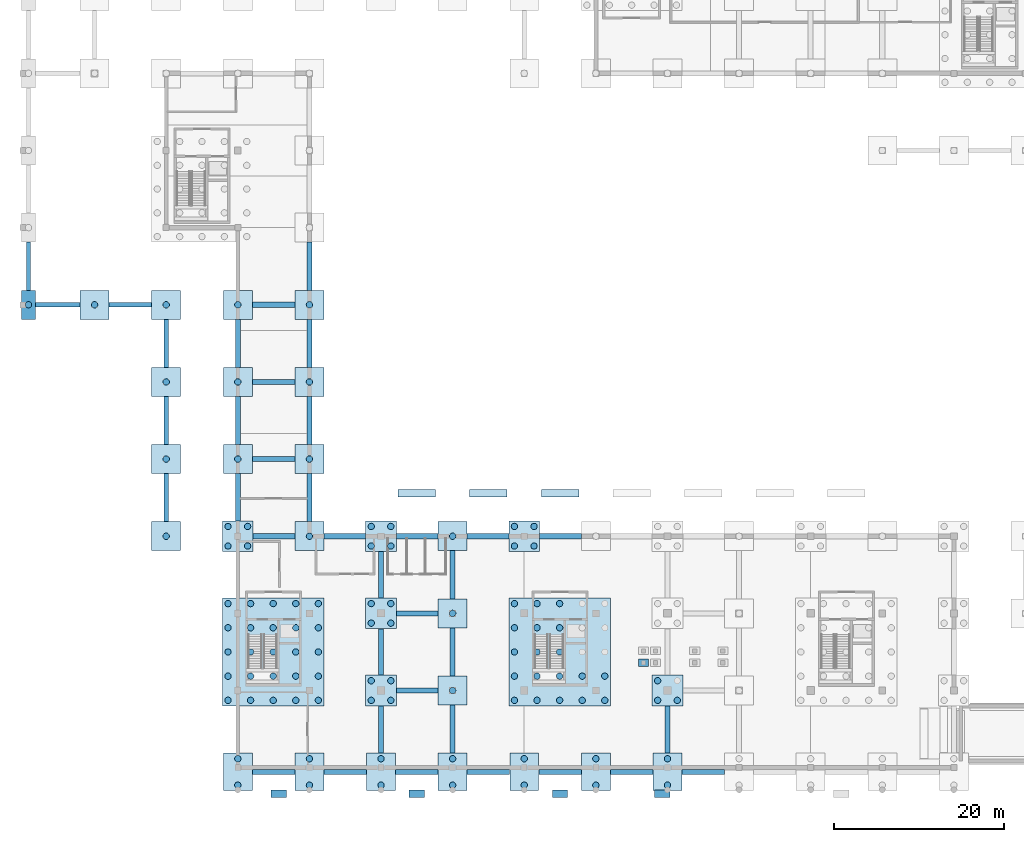
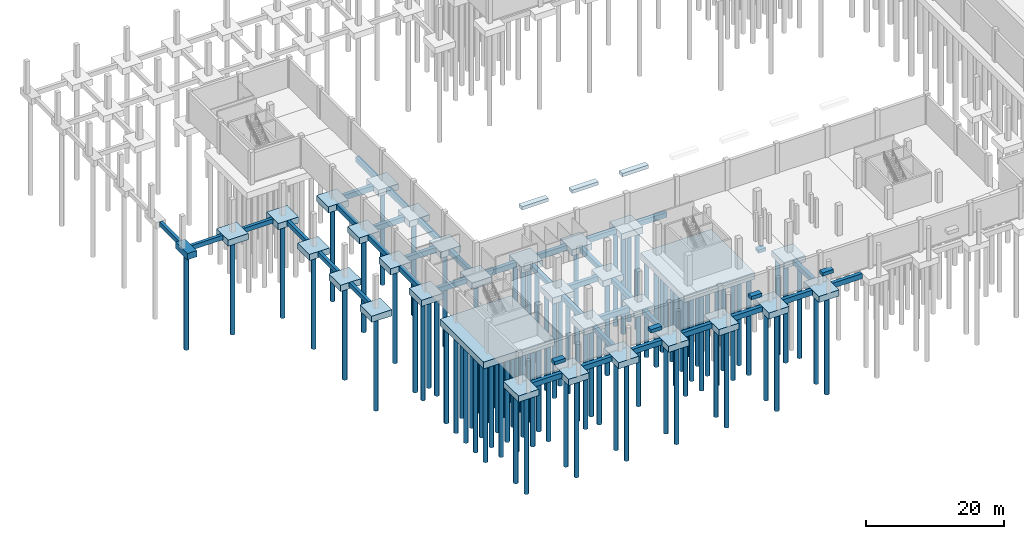
# One storey, part 1 of 18: 97 piles, 76 footings.
"""IFC4 building model written with IfcOpenShell, lengths in metres."""

from ifc_helpers import new_model, si_unit, direction, frame, origin, origin_2d, place, context, subcontext, project, spatial, rectangle, circle, extrude, material, layer, layer_set, material_profile, profile_set, type_object, element, save


model = new_model("IFC4")

# Units and contexts
model_context = context("Model", 3, precision=1e-05, world=origin(), true_north=direction((0.0, 1.0)))
body_context = subcontext(model_context, "Body", "Model", "MODEL_VIEW")
ifc_project = project(units=[si_unit("LENGTHUNIT", "METRE"), si_unit("AREAUNIT", "SQUARE_METRE"), si_unit("VOLUMEUNIT", "CUBIC_METRE"), si_unit("PLANEANGLEUNIT", "RADIAN"), si_unit("MASSUNIT", "GRAM", prefix="KILO")], contexts=[model_context])

# Site, building, storey
site_placement = place(None, origin())
site = spatial("IfcSite", under=ifc_project, at=site_placement, CompositionType="ELEMENT")
building_placement = place(site_placement, origin())
building = spatial("IfcBuilding", under=site, at=building_placement, Name="Khurvash Pelagic Aquarium", CompositionType="ELEMENT")
storey_placement = place(building_placement, frame((0.0, 0.0, -5.39990234375)))
storey = spatial("IfcBuildingStorey", under=building, at=storey_placement, Name="B1", CompositionType="ELEMENT", Elevation=-5.39990234375)

# Footings
ifc_material = material(Name="Concrete C35/45", Category="concrete")
ifc_layer_1 = layer(ifc_material, 0.800048828125)
ifc_layer_set_1 = layer_set([ifc_layer_1], Name="Concrete C35/45")
footing_type_1 = type_object("IfcFootingType", Name="GB-01", PredefinedType="FOOTING_BEAM", material=ifc_layer_set_1)
footing_1_placement = place(storey_placement, frame((4.074951171875, 56.89990234375, -1.2001953125), z_axis=(0.0, 0.0, 1.0), x_axis=(1.0, 0.0, 0.0)))
element("IfcFooting", 1, at=footing_1_placement, inside=storey, type_object=footing_type_1, Name="Reinforced Concrete Ground Tie Beam GB-01 075", PredefinedType="FOOTING_BEAM", context=body_context, shape_type="SweptSolid", body=[
    extrude(rectangle(XDim=5.24609375, YDim=0.5, at=origin_2d()), origin(), (0.0, 0.0, 1.0), 0.800048828125),
])
footing_2_placement = place(storey_placement, frame((12.60009765625, 56.89990234375, -1.2001953125), z_axis=(0.0, 0.0, 1.0), x_axis=(1.0, 0.0, 0.0)))
element("IfcFooting", 2, at=footing_2_placement, inside=storey, type_object=footing_type_1, Name="Reinforced Concrete Ground Tie Beam GB-01 076", PredefinedType="FOOTING_BEAM", context=body_context, shape_type="SweptSolid", body=[
    extrude(rectangle(XDim=4.99609375, YDim=0.5, at=origin_2d()), origin(), (0.0, 0.0, 1.0), 0.800048828125),
])
for number, where, z_axis, x_axis, name in (
    (3, (0.64990234375, 61.425048828125, -1.2001953125), (0.0, 0.0, 1.0), (0.0, 1.0, 0.0), "Reinforced Concrete Ground Tie Beam GB-01 102"),
    (4, (16.800048828125, 34.27490234375, -1.2001953125), (0.0, 0.0, 1.0), (0.0, 1.0, 0.0), "Reinforced Concrete Ground Tie Beam GB-01 109"),
    (5, (16.800048828125, 43.324951171875, -1.2001953125), (0.0, 0.0, 1.0), (0.0, 1.0, 0.0), "Reinforced Concrete Ground Tie Beam GB-01 110"),
    (6, (16.800048828125, 52.375, -1.2001953125), (0.0, 0.0, 1.0), (0.0, 1.0, 0.0), "Reinforced Concrete Ground Tie Beam GB-01 111"),
):
    element("IfcFooting", number, at=place(storey_placement, frame(where, z_axis=z_axis, x_axis=x_axis)), inside=storey, type_object=footing_type_1, Name=name, PredefinedType="FOOTING_BEAM", context=body_context, shape_type="SweptSolid", body=[
        extrude(rectangle(XDim=5.64599609375, YDim=0.5, at=origin_2d()), origin(), (0.0, 0.0, 1.0), 0.800048828125),
    ])
ifc_layer_2 = layer(ifc_material, 0.89990234375)
ifc_layer_set_2 = layer_set([ifc_layer_2], Name="Concrete C35/45")
footing_type_2 = type_object("IfcFootingType", Name="GB-02", PredefinedType="FOOTING_BEAM", material=ifc_layer_set_2)
for number, where, z_axis, x_axis, name in (
    (7, (29.39990234375, 2.10009765625, -1.300048828125), (0.0, 0.0, 1.0), (1.0, 0.0, 0.0), "Reinforced Concrete Ground Tie Beam GB-02 001"),
    (8, (37.800048828125, 2.10009765625, -1.300048828125), (0.0, 0.0, 1.0), (1.0, 0.0, 0.0), "Reinforced Concrete Ground Tie Beam GB-02 002"),
    (9, (46.199951171875, 2.10009765625, -1.300048828125), (0.0, 0.0, 1.0), (1.0, 0.0, 0.0), "Reinforced Concrete Ground Tie Beam GB-02 003"),
    (10, (54.60009765625, 2.10009765625, -1.300048828125), (0.0, 0.0, 1.0), (1.0, 0.0, 0.0), "Reinforced Concrete Ground Tie Beam GB-02 004"),
    (11, (63.0, 2.10009765625, -1.300048828125), (0.0, 0.0, 1.0), (1.0, 0.0, 0.0), "Reinforced Concrete Ground Tie Beam GB-02 005"),
    (12, (71.39990234375, 2.10009765625, -1.300048828125), (0.0, 0.0, 1.0), (1.0, 0.0, 0.0), "Reinforced Concrete Ground Tie Beam GB-02 006"),
    (13, (79.800048828125, 2.10009765625, -1.300048828125), (0.0, 0.0, 1.0), (1.0, 0.0, 0.0), "Reinforced Concrete Ground Tie Beam GB-02 007"),
):
    element("IfcFooting", number, at=place(storey_placement, frame(where, z_axis=z_axis, x_axis=x_axis)), inside=storey, type_object=footing_type_2, Name=name, PredefinedType="FOOTING_BEAM", context=body_context, shape_type="SweptSolid", body=[
        extrude(rectangle(XDim=4.99609375, YDim=0.60009765625, at=origin_2d()), origin(), (0.0, 0.0, 1.0), 0.89990234375),
    ])
for number, where, z_axis, x_axis, name in (
    (14, (46.25, 11.64990234375, -1.300048828125), (0.0, 0.0, 1.0), (1.0, 0.0, 0.0), "Reinforced Concrete Ground Tie Beam GB-02 011"),
    (15, (46.25, 20.699951171875, -1.300048828125), (0.0, 0.0, 1.0), (1.0, 0.0, 0.0), "Reinforced Concrete Ground Tie Beam GB-02 013"),
    (16, (29.449951171875, 29.75, -1.300048828125), (0.0, 0.0, 1.0), (1.0, 0.0, 0.0), "Reinforced Concrete Ground Tie Beam GB-02 015"),
    (17, (37.75, 29.75, -1.300048828125), (0.0, 0.0, 1.0), (1.0, 0.0, 0.0), "Reinforced Concrete Ground Tie Beam GB-02 016"),
    (18, (46.25, 29.75, -1.300048828125), (0.0, 0.0, 1.0), (1.0, 0.0, 0.0), "Reinforced Concrete Ground Tie Beam GB-02 017"),
    (19, (54.550048828125, 29.75, -1.300048828125), (0.0, 0.0, 1.0), (1.0, 0.0, 0.0), "Reinforced Concrete Ground Tie Beam GB-02 018"),
    (20, (63.050048828125, 29.75, -1.300048828125), (0.0, 0.0, 1.0), (1.0, 0.0, 0.0), "Reinforced Concrete Ground Tie Beam GB-02 019"),
):
    element("IfcFooting", number, at=place(storey_placement, frame(where, z_axis=z_axis, x_axis=x_axis)), inside=storey, type_object=footing_type_2, Name=name, PredefinedType="FOOTING_BEAM", context=body_context, shape_type="SweptSolid", body=[
        extrude(rectangle(XDim=4.89599609375, YDim=0.60009765625, at=origin_2d()), origin(), (0.0, 0.0, 1.0), 0.89990234375),
    ])
for number, where, z_axis, x_axis, name in (
    (21, (29.39990234375, 38.800048828125, -1.300048828125), (0.0, 0.0, 1.0), (1.0, 0.0, 0.0), "Reinforced Concrete Ground Tie Beam GB-02 025"),
    (22, (29.39990234375, 47.85009765625, -1.300048828125), (0.0, 0.0, 1.0), (1.0, 0.0, 0.0), "Reinforced Concrete Ground Tie Beam GB-02 026"),
    (23, (29.39990234375, 56.89990234375, -1.300048828125), (0.0, 0.0, 1.0), (1.0, 0.0, 0.0), "Reinforced Concrete Ground Tie Beam GB-02 027"),
):
    element("IfcFooting", number, at=place(storey_placement, frame(where, z_axis=z_axis, x_axis=x_axis)), inside=storey, type_object=footing_type_2, Name=name, PredefinedType="FOOTING_BEAM", context=body_context, shape_type="SweptSolid", body=[
        extrude(rectangle(XDim=4.99609375, YDim=0.60009765625, at=origin_2d()), origin(), (0.0, 0.0, 1.0), 0.89990234375),
    ])
footing_3_placement = place(storey_placement, frame((25.199951171875, 34.324951171875, -1.300048828125), z_axis=(0.0, 0.0, 1.0), x_axis=(0.0, 1.0, 0.0)))
element("IfcFooting", 24, at=footing_3_placement, inside=storey, type_object=footing_type_2, Name="Reinforced Concrete Ground Tie Beam GB-02 043", PredefinedType="FOOTING_BEAM", context=body_context, shape_type="SweptSolid", body=[
    extrude(rectangle(XDim=5.5458984375, YDim=0.60009765625, at=origin_2d()), origin(), (0.0, 0.0, 1.0), 0.89990234375),
])
for number, where, z_axis, x_axis, name in (
    (25, (25.199951171875, 43.324951171875, -1.300048828125), (0.0, 0.0, 1.0), (0.0, 1.0, 0.0), "Reinforced Concrete Ground Tie Beam GB-02 044"),
    (26, (25.199951171875, 52.375, -1.300048828125), (0.0, 0.0, 1.0), (0.0, 1.0, 0.0), "Reinforced Concrete Ground Tie Beam GB-02 045"),
    (27, (33.60009765625, 34.27490234375, -1.300048828125), (0.0, 0.0, 1.0), (0.0, 1.0, 0.0), "Reinforced Concrete Ground Tie Beam GB-02 046"),
    (28, (33.60009765625, 43.324951171875, -1.300048828125), (0.0, 0.0, 1.0), (0.0, 1.0, 0.0), "Reinforced Concrete Ground Tie Beam GB-02 047"),
    (29, (33.60009765625, 52.375, -1.300048828125), (0.0, 0.0, 1.0), (0.0, 1.0, 0.0), "Reinforced Concrete Ground Tie Beam GB-02 048"),
    (30, (33.60009765625, 61.425048828125, -1.300048828125), (0.0, 0.0, 1.0), (0.0, 1.0, 0.0), "Reinforced Concrete Ground Tie Beam GB-02 049"),
):
    element("IfcFooting", number, at=place(storey_placement, frame(where, z_axis=z_axis, x_axis=x_axis)), inside=storey, type_object=footing_type_2, Name=name, PredefinedType="FOOTING_BEAM", context=body_context, shape_type="SweptSolid", body=[
        extrude(rectangle(XDim=5.64599609375, YDim=0.60009765625, at=origin_2d()), origin(), (0.0, 0.0, 1.0), 0.89990234375),
    ])
footing_4_placement = place(storey_placement, frame((42.0, 7.074951171875, -1.300048828125), z_axis=(0.0, 0.0, 1.0), x_axis=(0.0, 1.0, 0.0)))
element("IfcFooting", 31, at=footing_4_placement, inside=storey, type_object=footing_type_2, Name="Reinforced Concrete Ground Tie Beam GB-02 052", PredefinedType="FOOTING_BEAM", context=body_context, shape_type="SweptSolid", body=[
    extrude(rectangle(XDim=5.5458984375, YDim=0.60009765625, at=origin_2d()), origin(), (0.0, 0.0, 1.0), 0.89990234375),
])
for number, where, z_axis, x_axis, name in (
    (32, (42.0, 16.175048828125, -1.300048828125), (0.0, 0.0, 1.0), (0.0, 1.0, 0.0), "Reinforced Concrete Ground Tie Beam GB-02 053"),
    (33, (42.0, 25.22509765625, -1.300048828125), (0.0, 0.0, 1.0), (0.0, 1.0, 0.0), "Reinforced Concrete Ground Tie Beam GB-02 054"),
):
    element("IfcFooting", number, at=place(storey_placement, frame(where, z_axis=z_axis, x_axis=x_axis)), inside=storey, type_object=footing_type_2, Name=name, PredefinedType="FOOTING_BEAM", context=body_context, shape_type="SweptSolid", body=[
        extrude(rectangle(XDim=5.446044921875, YDim=0.60009765625, at=origin_2d()), origin(), (0.0, 0.0, 1.0), 0.89990234375),
    ])
for number, where, z_axis, x_axis, name in (
    (34, (50.39990234375, 7.125, -1.300048828125), (0.0, 0.0, 1.0), (0.0, 1.0, 0.0), "Reinforced Concrete Ground Tie Beam GB-02 055"),
    (35, (50.39990234375, 16.175048828125, -1.300048828125), (0.0, 0.0, 1.0), (0.0, 1.0, 0.0), "Reinforced Concrete Ground Tie Beam GB-02 056"),
    (36, (50.39990234375, 25.22509765625, -1.300048828125), (0.0, 0.0, 1.0), (0.0, 1.0, 0.0), "Reinforced Concrete Ground Tie Beam GB-02 057"),
):
    element("IfcFooting", number, at=place(storey_placement, frame(where, z_axis=z_axis, x_axis=x_axis)), inside=storey, type_object=footing_type_2, Name=name, PredefinedType="FOOTING_BEAM", context=body_context, shape_type="SweptSolid", body=[
        extrude(rectangle(XDim=5.64599609375, YDim=0.60009765625, at=origin_2d()), origin(), (0.0, 0.0, 1.0), 0.89990234375),
    ])
footing_5_placement = place(storey_placement, frame((75.60009765625, 7.074951171875, -1.300048828125), z_axis=(0.0, 0.0, 1.0), x_axis=(0.0, 1.0, 0.0)))
element("IfcFooting", 37, at=footing_5_placement, inside=storey, type_object=footing_type_2, Name="Reinforced Concrete Ground Tie Beam GB-02 058", PredefinedType="FOOTING_BEAM", context=body_context, shape_type="SweptSolid", body=[
    extrude(rectangle(XDim=5.5458984375, YDim=0.60009765625, at=origin_2d()), origin(), (0.0, 0.0, 1.0), 0.89990234375),
])

# Piles
ifc_material_profile = material_profile(ifc_material, circle(Radius=0.375, at=origin_2d()), Name="PILE750")
ifc_profile_set = profile_set([ifc_material_profile], Name="Concrete C35/45")
pile_type = type_object("IfcPileType", Name="P-750", PredefinedType="BORED", material=ifc_profile_set)
for number, where, z_axis, x_axis, name in (
    (38, (24.050048828125, 10.5, -1.5), (0.0, 0.0, -1.0), (1.0, 0.0, 0.0), "Bored Pile P-750 0151"),
    (39, (24.050048828125, 13.337890625, -1.5), (0.0, 0.0, -1.0), (1.0, 0.0, 0.0), "Bored Pile P-750 0152"),
    (40, (24.050048828125, 16.175048828125, -1.5), (0.0, 0.0, -1.0), (1.0, 0.0, 0.0), "Bored Pile P-750 0153"),
    (41, (24.050048828125, 19.011962890625, -1.5), (0.0, 0.0, -1.0), (1.0, 0.0, 0.0), "Bored Pile P-750 0154"),
    (42, (24.050048828125, 21.85009765625, -1.5), (0.0, 0.0, -1.0), (1.0, 0.0, 0.0), "Bored Pile P-750 0155"),
    (43, (26.699951171875, 10.5, -1.5), (0.0, 0.0, -1.0), (1.0, 0.0, 0.0), "Bored Pile P-750 0156"),
    (44, (26.699951171875, 13.337890625, -1.5), (0.0, 0.0, -1.0), (1.0, 0.0, 0.0), "Bored Pile P-750 0157"),
    (45, (26.699951171875, 16.175048828125, -1.5), (0.0, 0.0, -1.0), (1.0, 0.0, 0.0), "Bored Pile P-750 0158"),
    (46, (26.699951171875, 19.011962890625, -1.5), (0.0, 0.0, -1.0), (1.0, 0.0, 0.0), "Bored Pile P-750 0159"),
    (47, (26.699951171875, 21.85009765625, -1.5), (0.0, 0.0, -1.0), (1.0, 0.0, 0.0), "Bored Pile P-750 0160"),
    (48, (29.35009765625, 10.5, -1.5), (0.0, 0.0, -1.0), (1.0, 0.0, 0.0), "Bored Pile P-750 0161"),
    (49, (29.35009765625, 13.337890625, -1.5), (0.0, 0.0, -1.0), (1.0, 0.0, 0.0), "Bored Pile P-750 0162"),
    (50, (29.35009765625, 16.175048828125, -1.5), (0.0, 0.0, -1.0), (1.0, 0.0, 0.0), "Bored Pile P-750 0163"),
    (51, (29.35009765625, 19.011962890625, -1.5), (0.0, 0.0, -1.0), (1.0, 0.0, 0.0), "Bored Pile P-750 0164"),
    (52, (29.35009765625, 21.85009765625, -1.5), (0.0, 0.0, -1.0), (1.0, 0.0, 0.0), "Bored Pile P-750 0165"),
    (53, (32.0, 10.5, -1.5), (0.0, 0.0, -1.0), (1.0, 0.0, 0.0), "Bored Pile P-750 0166"),
    (54, (32.0, 13.337890625, -1.5), (0.0, 0.0, -1.0), (1.0, 0.0, 0.0), "Bored Pile P-750 0167"),
    (55, (32.0, 16.175048828125, -1.5), (0.0, 0.0, -1.0), (1.0, 0.0, 0.0), "Bored Pile P-750 0168"),
    (56, (32.0, 19.011962890625, -1.5), (0.0, 0.0, -1.0), (1.0, 0.0, 0.0), "Bored Pile P-750 0169"),
    (57, (32.0, 21.85009765625, -1.5), (0.0, 0.0, -1.0), (1.0, 0.0, 0.0), "Bored Pile P-750 0170"),
    (58, (34.64990234375, 10.5, -1.5), (0.0, 0.0, -1.0), (1.0, 0.0, 0.0), "Bored Pile P-750 0171"),
    (59, (34.64990234375, 13.337890625, -1.5), (0.0, 0.0, -1.0), (1.0, 0.0, 0.0), "Bored Pile P-750 0172"),
    (60, (34.64990234375, 16.175048828125, -1.5), (0.0, 0.0, -1.0), (1.0, 0.0, 0.0), "Bored Pile P-750 0173"),
    (61, (34.64990234375, 19.011962890625, -1.5), (0.0, 0.0, -1.0), (1.0, 0.0, 0.0), "Bored Pile P-750 0174"),
    (62, (34.64990234375, 21.85009765625, -1.5), (0.0, 0.0, -1.0), (1.0, 0.0, 0.0), "Bored Pile P-750 0175"),
    (63, (57.64990234375, 10.5, -1.5), (0.0, 0.0, -1.0), (1.0, 0.0, 0.0), "Bored Pile P-750 0176"),
    (64, (57.64990234375, 13.337890625, -1.5), (0.0, 0.0, -1.0), (1.0, 0.0, 0.0), "Bored Pile P-750 0177"),
    (65, (57.64990234375, 16.175048828125, -1.5), (0.0, 0.0, -1.0), (1.0, 0.0, 0.0), "Bored Pile P-750 0178"),
    (66, (57.64990234375, 19.011962890625, -1.5), (0.0, 0.0, -1.0), (1.0, 0.0, 0.0), "Bored Pile P-750 0179"),
    (67, (57.64990234375, 21.85009765625, -1.5), (0.0, 0.0, -1.0), (1.0, 0.0, 0.0), "Bored Pile P-750 0180"),
    (68, (60.300048828125, 10.5, -1.5), (0.0, 0.0, -1.0), (1.0, 0.0, 0.0), "Bored Pile P-750 0181"),
    (69, (60.300048828125, 13.337890625, -1.5), (0.0, 0.0, -1.0), (1.0, 0.0, 0.0), "Bored Pile P-750 0182"),
    (70, (60.300048828125, 16.175048828125, -1.5), (0.0, 0.0, -1.0), (1.0, 0.0, 0.0), "Bored Pile P-750 0183"),
    (71, (60.300048828125, 19.011962890625, -1.5), (0.0, 0.0, -1.0), (1.0, 0.0, 0.0), "Bored Pile P-750 0184"),
    (72, (60.300048828125, 21.85009765625, -1.5), (0.0, 0.0, -1.0), (1.0, 0.0, 0.0), "Bored Pile P-750 0185"),
    (73, (62.949951171875, 10.5, -1.5), (0.0, 0.0, -1.0), (1.0, 0.0, 0.0), "Bored Pile P-750 0186"),
    (74, (62.949951171875, 13.337890625, -1.5), (0.0, 0.0, -1.0), (1.0, 0.0, 0.0), "Bored Pile P-750 0187"),
    (75, (62.949951171875, 16.175048828125, -1.5), (0.0, 0.0, -1.0), (1.0, 0.0, 0.0), "Bored Pile P-750 0188"),
    (76, (62.949951171875, 19.011962890625, -1.5), (0.0, 0.0, -1.0), (1.0, 0.0, 0.0), "Bored Pile P-750 0189"),
    (77, (62.949951171875, 21.85009765625, -1.5), (0.0, 0.0, -1.0), (1.0, 0.0, 0.0), "Bored Pile P-750 0190"),
    (78, (65.60009765625, 10.5, -1.5), (0.0, 0.0, -1.0), (1.0, 0.0, 0.0), "Bored Pile P-750 0191"),
    (79, (65.60009765625, 13.337890625, -1.5), (0.0, 0.0, -1.0), (1.0, 0.0, 0.0), "Bored Pile P-750 0192"),
    (80, (68.25, 10.5, -1.5), (0.0, 0.0, -1.0), (1.0, 0.0, 0.0), "Bored Pile P-750 0196"),
    (81, (68.25, 13.337890625, -1.5), (0.0, 0.0, -1.0), (1.0, 0.0, 0.0), "Bored Pile P-750 0197"),
):
    element("IfcPile", number, at=place(storey_placement, frame(where, z_axis=z_axis, x_axis=x_axis)), inside=storey, type_object=pile_type, Name=name, PredefinedType="BORED", context=body_context, shape_type="SweptSolid", body=[
        extrude(circle(Radius=0.375, at=origin_2d()), origin(), (0.0, 0.0, 1.0), 17.10009765625),
    ])
for number, where, z_axis, x_axis, name in (
    (82, (25.199951171875, 0.550048828125, -1.400146484375), (0.0, 0.0, -1.0), (1.0, 0.0, 0.0), "Bored Pile P-750 0302"),
    (83, (25.199951171875, 3.64990234375, -1.400146484375), (0.0, 0.0, -1.0), (1.0, 0.0, 0.0), "Bored Pile P-750 0303"),
    (84, (24.050048828125, 28.60009765625, -1.400146484375), (0.0, 0.0, -1.0), (1.0, 0.0, 0.0), "Bored Pile P-750 0304"),
    (85, (24.050048828125, 30.89990234375, -1.400146484375), (0.0, 0.0, -1.0), (1.0, 0.0, 0.0), "Bored Pile P-750 0305"),
    (86, (26.35009765625, 28.60009765625, -1.400146484375), (0.0, 0.0, -1.0), (1.0, 0.0, 0.0), "Bored Pile P-750 0306"),
    (87, (26.35009765625, 30.89990234375, -1.400146484375), (0.0, 0.0, -1.0), (1.0, 0.0, 0.0), "Bored Pile P-750 0307"),
    (88, (25.199951171875, 38.800048828125, -1.400146484375), (0.0, 0.0, -1.0), (1.0, 0.0, 0.0), "Bored Pile P-750 0308"),
    (89, (25.199951171875, 47.85009765625, -1.400146484375), (0.0, 0.0, -1.0), (1.0, 0.0, 0.0), "Bored Pile P-750 0309"),
    (90, (25.199951171875, 56.89990234375, -1.400146484375), (0.0, 0.0, -1.0), (1.0, 0.0, 0.0), "Bored Pile P-750 0310"),
    (91, (33.60009765625, 0.550048828125, -1.400146484375), (0.0, 0.0, -1.0), (1.0, 0.0, 0.0), "Bored Pile P-750 0312"),
    (92, (33.60009765625, 3.64990234375, -1.400146484375), (0.0, 0.0, -1.0), (1.0, 0.0, 0.0), "Bored Pile P-750 0313"),
    (93, (33.60009765625, 29.75, -1.400146484375), (0.0, 0.0, -1.0), (1.0, 0.0, 0.0), "Bored Pile P-750 0314"),
    (94, (33.60009765625, 38.800048828125, -1.400146484375), (0.0, 0.0, -1.0), (1.0, 0.0, 0.0), "Bored Pile P-750 0315"),
    (95, (33.60009765625, 47.85009765625, -1.400146484375), (0.0, 0.0, -1.0), (1.0, 0.0, 0.0), "Bored Pile P-750 0316"),
    (96, (33.60009765625, 56.89990234375, -1.400146484375), (0.0, 0.0, -1.0), (1.0, 0.0, 0.0), "Bored Pile P-750 0317"),
    (97, (42.0, 0.550048828125, -1.400146484375), (0.0, 0.0, -1.0), (1.0, 0.0, 0.0), "Bored Pile P-750 0321"),
    (98, (42.0, 3.64990234375, -1.400146484375), (0.0, 0.0, -1.0), (1.0, 0.0, 0.0), "Bored Pile P-750 0322"),
    (99, (40.85009765625, 10.5, -1.400146484375), (0.0, 0.0, -1.0), (1.0, 0.0, 0.0), "Bored Pile P-750 0323"),
    (100, (40.85009765625, 12.800048828125, -1.400146484375), (0.0, 0.0, -1.0), (1.0, 0.0, 0.0), "Bored Pile P-750 0324"),
    (101, (43.14990234375, 10.5, -1.400146484375), (0.0, 0.0, -1.0), (1.0, 0.0, 0.0), "Bored Pile P-750 0325"),
    (102, (43.14990234375, 12.800048828125, -1.400146484375), (0.0, 0.0, -1.0), (1.0, 0.0, 0.0), "Bored Pile P-750 0326"),
    (103, (40.85009765625, 19.550048828125, -1.400146484375), (0.0, 0.0, -1.0), (1.0, 0.0, 0.0), "Bored Pile P-750 0327"),
    (104, (40.85009765625, 21.85009765625, -1.400146484375), (0.0, 0.0, -1.0), (1.0, 0.0, 0.0), "Bored Pile P-750 0328"),
    (105, (43.14990234375, 19.550048828125, -1.400146484375), (0.0, 0.0, -1.0), (1.0, 0.0, 0.0), "Bored Pile P-750 0329"),
    (106, (43.14990234375, 21.85009765625, -1.400146484375), (0.0, 0.0, -1.0), (1.0, 0.0, 0.0), "Bored Pile P-750 0330"),
    (107, (40.85009765625, 28.60009765625, -1.400146484375), (0.0, 0.0, -1.0), (1.0, 0.0, 0.0), "Bored Pile P-750 0331"),
    (108, (40.85009765625, 30.89990234375, -1.400146484375), (0.0, 0.0, -1.0), (1.0, 0.0, 0.0), "Bored Pile P-750 0332"),
    (109, (43.14990234375, 28.60009765625, -1.400146484375), (0.0, 0.0, -1.0), (1.0, 0.0, 0.0), "Bored Pile P-750 0333"),
    (110, (43.14990234375, 30.89990234375, -1.400146484375), (0.0, 0.0, -1.0), (1.0, 0.0, 0.0), "Bored Pile P-750 0334"),
    (111, (50.39990234375, 0.550048828125, -1.400146484375), (0.0, 0.0, -1.0), (1.0, 0.0, 0.0), "Bored Pile P-750 0335"),
    (112, (50.39990234375, 3.64990234375, -1.400146484375), (0.0, 0.0, -1.0), (1.0, 0.0, 0.0), "Bored Pile P-750 0336"),
    (113, (50.39990234375, 11.64990234375, -1.400146484375), (0.0, 0.0, -1.0), (1.0, 0.0, 0.0), "Bored Pile P-750 0337"),
    (114, (50.39990234375, 20.699951171875, -1.400146484375), (0.0, 0.0, -1.0), (1.0, 0.0, 0.0), "Bored Pile P-750 0338"),
    (115, (50.39990234375, 29.75, -1.400146484375), (0.0, 0.0, -1.0), (1.0, 0.0, 0.0), "Bored Pile P-750 0339"),
    (116, (58.800048828125, 0.550048828125, -1.400146484375), (0.0, 0.0, -1.0), (1.0, 0.0, 0.0), "Bored Pile P-750 0340"),
    (117, (58.800048828125, 3.64990234375, -1.400146484375), (0.0, 0.0, -1.0), (1.0, 0.0, 0.0), "Bored Pile P-750 0341"),
    (118, (57.64990234375, 28.60009765625, -1.400146484375), (0.0, 0.0, -1.0), (1.0, 0.0, 0.0), "Bored Pile P-750 0342"),
    (119, (57.64990234375, 30.89990234375, -1.400146484375), (0.0, 0.0, -1.0), (1.0, 0.0, 0.0), "Bored Pile P-750 0343"),
    (120, (59.949951171875, 28.60009765625, -1.400146484375), (0.0, 0.0, -1.0), (1.0, 0.0, 0.0), "Bored Pile P-750 0344"),
    (121, (59.949951171875, 30.89990234375, -1.400146484375), (0.0, 0.0, -1.0), (1.0, 0.0, 0.0), "Bored Pile P-750 0345"),
    (122, (67.199951171875, 0.550048828125, -1.400146484375), (0.0, 0.0, -1.0), (1.0, 0.0, 0.0), "Bored Pile P-750 0346"),
    (123, (67.199951171875, 3.64990234375, -1.400146484375), (0.0, 0.0, -1.0), (1.0, 0.0, 0.0), "Bored Pile P-750 0347"),
    (124, (75.60009765625, 0.550048828125, -1.400146484375), (0.0, 0.0, -1.0), (1.0, 0.0, 0.0), "Bored Pile P-750 0350"),
    (125, (75.60009765625, 3.64990234375, -1.400146484375), (0.0, 0.0, -1.0), (1.0, 0.0, 0.0), "Bored Pile P-750 0351"),
    (126, (74.449951171875, 10.5, -1.400146484375), (0.0, 0.0, -1.0), (1.0, 0.0, 0.0), "Bored Pile P-750 0352"),
    (127, (74.449951171875, 12.800048828125, -1.400146484375), (0.0, 0.0, -1.0), (1.0, 0.0, 0.0), "Bored Pile P-750 0353"),
    (128, (76.75, 10.5, -1.400146484375), (0.0, 0.0, -1.0), (1.0, 0.0, 0.0), "Bored Pile P-750 0354"),
    (129, (0.64990234375, 56.89990234375, -1.400146484375), (0.0, 0.0, -1.0), (1.0, 0.0, 0.0), "Bored Pile P-750 0408"),
    (130, (8.39990234375, 56.89990234375, -1.400146484375), (0.0, 0.0, -1.0), (1.0, 0.0, 0.0), "Bored Pile P-750 0414"),
    (131, (16.800048828125, 29.75, -1.400146484375), (0.0, 0.0, -1.0), (1.0, 0.0, 0.0), "Bored Pile P-750 0418"),
    (132, (16.800048828125, 38.800048828125, -1.400146484375), (0.0, 0.0, -1.0), (1.0, 0.0, 0.0), "Bored Pile P-750 0419"),
    (133, (16.800048828125, 47.85009765625, -1.400146484375), (0.0, 0.0, -1.0), (1.0, 0.0, 0.0), "Bored Pile P-750 0420"),
    (134, (16.800048828125, 56.89990234375, -1.400146484375), (0.0, 0.0, -1.0), (1.0, 0.0, 0.0), "Bored Pile P-750 0421"),
):
    element("IfcPile", number, at=place(storey_placement, frame(where, z_axis=z_axis, x_axis=x_axis)), inside=storey, type_object=pile_type, Name=name, PredefinedType="BORED", context=body_context, shape_type="SweptSolid", body=[
        extrude(circle(Radius=0.375, at=origin_2d()), origin(), (0.0, 0.0, 1.0), 17.199951171875),
    ])

# Footings
ifc_layer_3 = layer(ifc_material, 1.199951171875)
ifc_layer_set_3 = layer_set([ifc_layer_3], Name="Concrete C35/45")
footing_type_3 = type_object("IfcFootingType", Name="PC-01", PredefinedType="PILE_CAP", material=ifc_layer_set_3)
for number, where, z_axis, x_axis, name in (
    (135, (29.35009765625, 16.175048828125, -1.60009765625), (0.0, 0.0, 1.0), (1.0, 0.0, 0.0), "Reinforced Concrete Pile Cap PC-01 001"),
    (136, (62.949951171875, 16.175048828125, -1.60009765625), (0.0, 0.0, 1.0), (1.0, 0.0, 0.0), "Reinforced Concrete Pile Cap PC-01 002"),
):
    element("IfcFooting", number, at=place(storey_placement, frame(where, z_axis=z_axis, x_axis=x_axis)), inside=storey, type_object=footing_type_3, Name=name, PredefinedType="PILE_CAP", context=body_context, shape_type="SweptSolid", body=[
        extrude(rectangle(XDim=11.89990234375, YDim=12.64990234375, at=origin_2d()), origin(), (0.0, 0.0, 1.0), 1.199951171875),
    ])
ifc_layer_4 = layer(ifc_material, 1.10009765625)
ifc_layer_set_4 = layer_set([ifc_layer_4], Name="Concrete C35/45")
footing_type_4 = type_object("IfcFootingType", Name="PC-03", PredefinedType="PILE_CAP", material=ifc_layer_set_4)
for number, where, z_axis, x_axis, name in (
    (137, (25.199951171875, 38.800048828125, -1.500244140625), (0.0, 0.0, 1.0), (1.0, 0.0, 0.0), "Reinforced Concrete Pile Cap PC-03 010"),
    (138, (25.199951171875, 47.85009765625, -1.500244140625), (0.0, 0.0, 1.0), (1.0, 0.0, 0.0), "Reinforced Concrete Pile Cap PC-03 011"),
    (139, (25.199951171875, 56.89990234375, -1.500244140625), (0.0, 0.0, 1.0), (1.0, 0.0, 0.0), "Reinforced Concrete Pile Cap PC-03 012"),
    (140, (33.60009765625, 29.75, -1.500244140625), (0.0, 0.0, 1.0), (1.0, 0.0, 0.0), "Reinforced Concrete Pile Cap PC-03 015"),
    (141, (33.60009765625, 38.800048828125, -1.500244140625), (0.0, 0.0, 1.0), (1.0, 0.0, 0.0), "Reinforced Concrete Pile Cap PC-03 016"),
    (142, (33.60009765625, 47.85009765625, -1.500244140625), (0.0, 0.0, 1.0), (1.0, 0.0, 0.0), "Reinforced Concrete Pile Cap PC-03 017"),
    (143, (33.60009765625, 56.89990234375, -1.500244140625), (0.0, 0.0, 1.0), (1.0, 0.0, 0.0), "Reinforced Concrete Pile Cap PC-03 018"),
    (144, (50.39990234375, 11.64990234375, -1.500244140625), (0.0, 0.0, 1.0), (1.0, 0.0, 0.0), "Reinforced Concrete Pile Cap PC-03 027"),
    (145, (50.39990234375, 20.699951171875, -1.500244140625), (0.0, 0.0, 1.0), (1.0, 0.0, 0.0), "Reinforced Concrete Pile Cap PC-03 028"),
    (146, (50.39990234375, 29.75, -1.500244140625), (0.0, 0.0, 1.0), (1.0, 0.0, 0.0), "Reinforced Concrete Pile Cap PC-03 029"),
    (147, (8.39990234375, 56.89990234375, -1.500244140625), (0.0, 0.0, 1.0), (1.0, 0.0, 0.0), "Reinforced Concrete Pile Cap PC-03 073"),
    (148, (16.800048828125, 29.75, -1.500244140625), (0.0, 0.0, 1.0), (1.0, 0.0, 0.0), "Reinforced Concrete Pile Cap PC-03 077"),
    (149, (16.800048828125, 38.800048828125, -1.500244140625), (0.0, 0.0, 1.0), (1.0, 0.0, 0.0), "Reinforced Concrete Pile Cap PC-03 078"),
    (150, (16.800048828125, 47.85009765625, -1.500244140625), (0.0, 0.0, 1.0), (1.0, 0.0, 0.0), "Reinforced Concrete Pile Cap PC-03 079"),
    (151, (16.800048828125, 56.89990234375, -1.500244140625), (0.0, 0.0, 1.0), (1.0, 0.0, 0.0), "Reinforced Concrete Pile Cap PC-03 080"),
):
    element("IfcFooting", number, at=place(storey_placement, frame(where, z_axis=z_axis, x_axis=x_axis)), inside=storey, type_object=footing_type_4, Name=name, PredefinedType="PILE_CAP", context=body_context, shape_type="SweptSolid", body=[
        extrude(rectangle(XDim=3.39990234375, YDim=3.39990234375, at=origin_2d()), origin(), (0.0, 0.0, 1.0), 1.10009765625),
    ])
ifc_layer_5 = layer(ifc_material, 1.10009765625)
ifc_layer_set_5 = layer_set([ifc_layer_5], Name="Concrete C35/45")
footing_type_5 = type_object("IfcFootingType", Name="PC-04", PredefinedType="PILE_CAP", material=ifc_layer_set_5)
for number, where, z_axis, x_axis, name in (
    (152, (25.199951171875, 2.10009765625, -1.500244140625), (0.0, 0.0, 1.0), (1.0, 0.0, 0.0), "Reinforced Concrete Pile Cap PC-04 008"),
    (153, (33.60009765625, 2.10009765625, -1.500244140625), (0.0, 0.0, 1.0), (1.0, 0.0, 0.0), "Reinforced Concrete Pile Cap PC-04 014"),
    (154, (42.0, 2.10009765625, -1.500244140625), (0.0, 0.0, 1.0), (1.0, 0.0, 0.0), "Reinforced Concrete Pile Cap PC-04 022"),
    (155, (50.39990234375, 2.10009765625, -1.500244140625), (0.0, 0.0, 1.0), (1.0, 0.0, 0.0), "Reinforced Concrete Pile Cap PC-04 026"),
    (156, (58.800048828125, 2.10009765625, -1.500244140625), (0.0, 0.0, 1.0), (1.0, 0.0, 0.0), "Reinforced Concrete Pile Cap PC-04 030"),
    (157, (67.199951171875, 2.10009765625, -1.500244140625), (0.0, 0.0, 1.0), (1.0, 0.0, 0.0), "Reinforced Concrete Pile Cap PC-04 032"),
    (158, (75.60009765625, 2.10009765625, -1.500244140625), (0.0, 0.0, 1.0), (1.0, 0.0, 0.0), "Reinforced Concrete Pile Cap PC-04 035"),
):
    element("IfcFooting", number, at=place(storey_placement, frame(where, z_axis=z_axis, x_axis=x_axis)), inside=storey, type_object=footing_type_5, Name=name, PredefinedType="PILE_CAP", context=body_context, shape_type="SweptSolid", body=[
        extrude(rectangle(XDim=3.39990234375, YDim=4.39990234375, at=origin_2d()), origin(), (0.0, 0.0, 1.0), 1.10009765625),
    ])
ifc_layer_6 = layer(ifc_material, 1.10009765625)
ifc_layer_set_6 = layer_set([ifc_layer_6], Name="Concrete C35/45")
footing_type_6 = type_object("IfcFootingType", Name="PC-05", PredefinedType="PILE_CAP", material=ifc_layer_set_6)
for number, where, z_axis, x_axis, name in (
    (159, (25.199951171875, 29.75, -1.500244140625), (0.0, 0.0, 1.0), (1.0, 0.0, 0.0), "Reinforced Concrete Pile Cap PC-05 009"),
    (160, (42.0, 11.64990234375, -1.500244140625), (0.0, 0.0, 1.0), (1.0, 0.0, 0.0), "Reinforced Concrete Pile Cap PC-05 023"),
    (161, (42.0, 20.699951171875, -1.500244140625), (0.0, 0.0, 1.0), (1.0, 0.0, 0.0), "Reinforced Concrete Pile Cap PC-05 024"),
    (162, (42.0, 29.75, -1.500244140625), (0.0, 0.0, 1.0), (1.0, 0.0, 0.0), "Reinforced Concrete Pile Cap PC-05 025"),
    (163, (58.800048828125, 29.75, -1.500244140625), (0.0, 0.0, 1.0), (1.0, 0.0, 0.0), "Reinforced Concrete Pile Cap PC-05 031"),
    (164, (75.60009765625, 11.64990234375, -1.500244140625), (0.0, 0.0, 1.0), (1.0, 0.0, 0.0), "Reinforced Concrete Pile Cap PC-05 036"),
):
    element("IfcFooting", number, at=place(storey_placement, frame(where, z_axis=z_axis, x_axis=x_axis)), inside=storey, type_object=footing_type_6, Name=name, PredefinedType="PILE_CAP", context=body_context, shape_type="SweptSolid", body=[
        extrude(rectangle(XDim=3.60009765625, YDim=3.60009765625, at=origin_2d()), origin(), (0.0, 0.0, 1.0), 1.10009765625),
    ])
ifc_layer_7 = layer(ifc_material, 1.10009765625)
ifc_layer_set_7 = layer_set([ifc_layer_7], Name="Concrete C35/45")
footing_type_7 = type_object("IfcFootingType", Name="PC-06", PredefinedType="PILE_CAP", material=ifc_layer_set_7)
footing_6_placement = place(storey_placement, frame((0.64990234375, 56.89990234375, -1.500244140625), z_axis=(0.0, 0.0, 1.0), x_axis=(1.0, 0.0, 0.0)))
element("IfcFooting", 165, at=footing_6_placement, inside=storey, type_object=footing_type_7, Name="Reinforced Concrete Pile Cap PC-06 067", PredefinedType="PILE_CAP", context=body_context, shape_type="SweptSolid", body=[
    extrude(rectangle(XDim=1.60009765625, YDim=3.39990234375, at=origin_2d()), origin(), (0.0, 0.0, 1.0), 1.10009765625),
])
ifc_layer_8 = layer(ifc_material, 0.60009765625)
ifc_layer_set_8 = layer_set([ifc_layer_8], Name="Concrete C35/45")
footing_type_8 = type_object("IfcFootingType", Name="SF-01", PredefinedType="STRIP_FOOTING", material=ifc_layer_set_8)
for number, where, z_axis, x_axis, name in (
    (166, (46.199951171875, 34.800048828125, 4.499755859375), (0.0, 0.0, 1.0), (1.0, 0.0, 0.0), "Courtyard Strip Footing SF-01 01"),
    (167, (54.60009765625, 34.800048828125, 4.499755859375), (0.0, 0.0, 1.0), (1.0, 0.0, 0.0), "Courtyard Strip Footing SF-01 02"),
    (168, (63.0, 34.800048828125, 4.499755859375), (0.0, 0.0, 1.0), (1.0, 0.0, 0.0), "Courtyard Strip Footing SF-01 03"),
):
    element("IfcFooting", number, at=place(storey_placement, frame(where, z_axis=z_axis, x_axis=x_axis)), inside=storey, type_object=footing_type_8, Name=name, PredefinedType="STRIP_FOOTING", context=body_context, shape_type="SweptSolid", body=[
        extrude(rectangle(XDim=4.39990234375, YDim=0.89990234375, at=origin_2d()), origin(), (0.0, 0.0, 1.0), 0.60009765625),
    ])
footing_7_placement = place(storey_placement, frame((72.800048828125, 14.89990234375, -1.000244140625), z_axis=(0.0, 0.0, 1.0), x_axis=(1.0, 0.0, 0.0)))
element("IfcFooting", 169, at=footing_7_placement, inside=storey, type_object=footing_type_8, Name="Foyer Stair Column Strip Footing", PredefinedType="STRIP_FOOTING", context=body_context, shape_type="SweptSolid", body=[
    extrude(rectangle(XDim=1.199951171875, YDim=0.89990234375, at=origin_2d()), origin(), (0.0, 0.0, 1.0), 0.60009765625),
])
for number, where, z_axis, x_axis, name in (
    (170, (30.0, -0.449951171875, 3.599853515625), (0.0, 0.0, 1.0), (1.0, 0.0, 0.0), "B1 Boulevard West Arcade Accessible Ramp Sleeper Footing SF-01"),
    (171, (46.199951171875, -0.449951171875, 3.599853515625), (0.0, 0.0, 1.0), (1.0, 0.0, 0.0), "B1 Ticketing Concourse Accessible Ramp Sleeper Footing SF-01"),
    (172, (63.0, -0.449951171875, 3.599853515625), (0.0, 0.0, 1.0), (1.0, 0.0, 0.0), "B1 Central Arcade Accessible Ramp Sleeper Footing SF-01"),
    (173, (75.0, -0.449951171875, 3.599853515625), (0.0, 0.0, 1.0), (1.0, 0.0, 0.0), "B1 Grand Foyer Boulevard Accessible Ramp Sleeper Footing SF-01"),
):
    element("IfcFooting", number, at=place(storey_placement, frame(where, z_axis=z_axis, x_axis=x_axis)), inside=storey, type_object=footing_type_8, Name=name, PredefinedType="STRIP_FOOTING", context=body_context, shape_type="SweptSolid", body=[
        extrude(rectangle(XDim=1.800048828125, YDim=0.89990234375, at=origin_2d()), origin(), (0.0, 0.0, 1.0), 0.60009765625),
    ])

save(model, "model.ifc")
